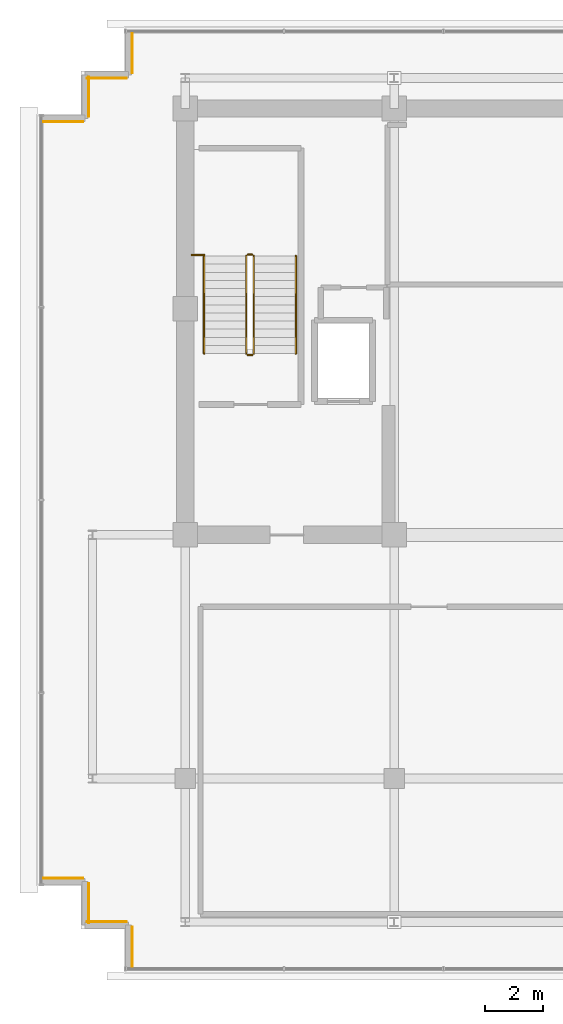
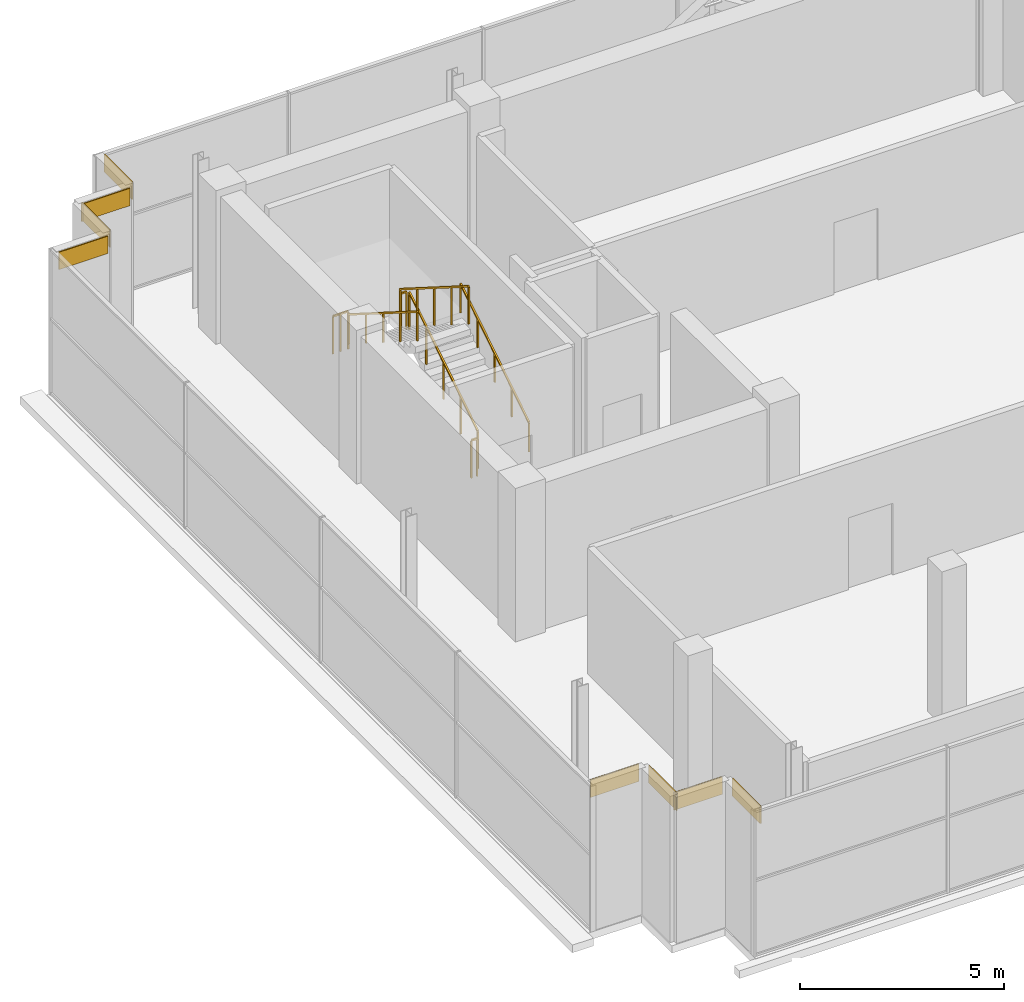
# One storey, part 25 of 26: 8 coverings, 7 railings.
"""IFC4 building model written with IfcOpenShell, lengths in metres."""

from ifc_helpers import new_model, si_unit, direction, frame, origin, origin_2d, place, context, subcontext, project, spatial, rectangle, extrude, source, transform, mapped, material, layer, layer_set, type_object, element, save


model = new_model("IFC4")

# Units and contexts
model_context = context("Model", 3, precision=1e-05, world=origin(), true_north=direction((0.0, 1.0)))
body_context = subcontext(model_context, "Body", "Model", "MODEL_VIEW")
ifc_project = project(units=[si_unit("LENGTHUNIT", "METRE"), si_unit("AREAUNIT", "SQUARE_METRE"), si_unit("VOLUMEUNIT", "CUBIC_METRE"), si_unit("PLANEANGLEUNIT", "RADIAN"), si_unit("MASSUNIT", "GRAM", prefix="KILO")], contexts=[model_context])

# Site, building, storey
site_placement = place(None, origin())
site = spatial("IfcSite", under=ifc_project, at=site_placement, CompositionType="ELEMENT")
building_placement = place(site_placement, origin())
building = spatial("IfcBuilding", under=site, at=building_placement, Name="Zarnakvel Exchange Tower", CompositionType="ELEMENT")
storey_placement = place(building_placement, frame((0.0, 0.0, 280.800048828125)))
storey = spatial("IfcBuildingStorey", under=building, at=storey_placement, Name="Crown L79", CompositionType="ELEMENT", Elevation=280.800048828125)

# Railings
ifc_material_1 = material(Name="Brushed Stainless Steel", Category="steel")
railing_type_1 = type_object("IfcRailingType", Name="HR-01", PredefinedType="HANDRAIL", material=ifc_material_1)
railing_1_placement = place(storey_placement, frame((-10.590087890625, 5.050048828125, 0.1767578125)))
element("IfcRailing", 1, at=railing_1_placement, inside=storey, type_object=railing_type_1, Name="Crown L79 ST-01 stair handrail 1", PredefinedType="HANDRAIL", context=body_context, shape_type="SweptSolid", body=[
    extrude(rectangle(XDim=0.048095703125, YDim=0.048095703125, at=origin_2d()), frame((0.0, 0.0, 0.8759765625), z_axis=(0.0, 0.845344368971, 0.534221768416), x_axis=(-1.0, 0.0, 0.0)), (0.0, 0.0, 1.0), 3.974609375),
    extrude(rectangle(XDim=0.0419921875, YDim=0.0419921875, at=origin_2d()), origin(), (0.0, 0.0, 1.0), 0.851806640625),
    extrude(rectangle(XDim=0.0419921875, YDim=0.0419921875, at=origin_2d()), frame((0.0, 0.83984375, 0.53076171875)), (0.0, 0.0, 1.0), 0.851806640625),
    extrude(rectangle(XDim=0.0419921875, YDim=0.0419921875, at=origin_2d()), frame((0.0, 1.679931640625, 1.0615234375)), (0.0, 0.0, 1.0), 0.851806640625),
    extrude(rectangle(XDim=0.0419921875, YDim=0.0419921875, at=origin_2d()), frame((0.0, 2.52001953125, 1.592529296875)), (0.0, 0.0, 1.0), 0.851806640625),
    extrude(rectangle(XDim=0.0419921875, YDim=0.0419921875, at=origin_2d()), frame((0.0, 3.35986328125, 2.123291015625)), (0.0, 0.0, 1.0), 0.851806640625),
])
railing_2_placement = place(storey_placement, frame((-13.75, 8.409912109375, 2.476806640625)))
element("IfcRailing", 2, at=railing_2_placement, inside=storey, type_object=railing_type_1, Name="Crown L79 ST-01 stair handrail 2", PredefinedType="HANDRAIL", context=body_context, shape_type="SweptSolid", body=[
    extrude(rectangle(XDim=0.048095703125, YDim=0.048095703125, at=origin_2d()), frame((0.0, 0.0, 0.8759765625), z_axis=(0.0, -0.845372108799, 0.534177870812), x_axis=(1.0, 0.0, 0.0)), (0.0, 0.0, 1.0), 3.974365234375),
    extrude(rectangle(XDim=0.0419921875, YDim=0.0419921875, at=origin_2d()), origin(), (0.0, 0.0, 1.0), 0.851806640625),
    extrude(rectangle(XDim=0.0419921875, YDim=0.0419921875, at=origin_2d()), frame((0.0, -0.83984375, 0.53076171875)), (0.0, 0.0, 1.0), 0.851806640625),
    extrude(rectangle(XDim=0.0419921875, YDim=0.0419921875, at=origin_2d()), frame((0.0, -1.679931640625, 1.0615234375)), (0.0, 0.0, 1.0), 0.851806640625),
    extrude(rectangle(XDim=0.0419921875, YDim=0.0419921875, at=origin_2d()), frame((0.0, -2.52001953125, 1.59228515625)), (0.0, 0.0, 1.0), 0.851806640625),
    extrude(rectangle(XDim=0.0419921875, YDim=0.0419921875, at=origin_2d()), frame((0.0, -3.35986328125, 2.123046875)), (0.0, 0.0, 1.0), 0.851806640625),
])
ifc_material_2 = material(Name="Architectural Bronze Anodised Aluminium", Category="aluminium")
railing_type_2 = type_object("IfcRailingType", Name="SG-01", PredefinedType="GUARDRAIL", material=ifc_material_2)
railing_3_placement = place(storey_placement, frame((-12.0400390625, 5.050048828125, 0.1767578125)))
element("IfcRailing", 3, at=railing_3_placement, inside=storey, type_object=railing_type_2, Name="Crown L79 ST-01 stair guard 1", PredefinedType="GUARDRAIL", context=body_context, shape_type="SweptSolid", body=[
    extrude(rectangle(XDim=0.048095703125, YDim=0.048095703125, at=origin_2d()), frame((0.0, 0.0, 1.1259765625), z_axis=(0.0, 0.845344368971, 0.534221768416), x_axis=(-1.0, 0.0, 0.0)), (0.0, 0.0, 1.0), 3.974609375),
    extrude(rectangle(XDim=0.0419921875, YDim=0.0419921875, at=origin_2d()), origin(), (0.0, 0.0, 1.0), 1.101806640625),
    extrude(rectangle(XDim=0.0419921875, YDim=0.0419921875, at=origin_2d()), frame((0.0, 0.83984375, 0.53076171875)), (0.0, 0.0, 1.0), 1.101806640625),
    extrude(rectangle(XDim=0.0419921875, YDim=0.0419921875, at=origin_2d()), frame((0.0, 1.679931640625, 1.0615234375)), (0.0, 0.0, 1.0), 1.101806640625),
    extrude(rectangle(XDim=0.0419921875, YDim=0.0419921875, at=origin_2d()), frame((0.0, 2.52001953125, 1.592529296875)), (0.0, 0.0, 1.0), 1.101806640625),
    extrude(rectangle(XDim=0.0419921875, YDim=0.0419921875, at=origin_2d()), frame((0.0, 3.35986328125, 2.123291015625)), (0.0, 0.0, 1.0), 1.101806640625),
])
railing_4_placement = place(storey_placement, frame((-12.090087890625, 8.4599609375, 2.300048828125)))
element("IfcRailing", 4, at=railing_4_placement, inside=storey, type_object=railing_type_2, Name="Crown L79 ST-01 stair guard 2", PredefinedType="GUARDRAIL", context=body_context, shape_type="SweptSolid", body=[
    extrude(rectangle(XDim=0.048095703125, YDim=0.048095703125, at=origin_2d()), frame((0.0, 0.0, 1.1259765625), z_axis=(-1.0, 0.0, 0.0), x_axis=(0.0, -1.0, 0.0)), (0.0, 0.0, 1.0), 0.159912109375),
    extrude(rectangle(XDim=0.0419921875, YDim=0.0419921875, at=origin_2d()), origin(), (0.0, 0.0, 1.0), 1.101806640625),
    extrude(rectangle(XDim=0.0419921875, YDim=0.0419921875, at=origin_2d()), frame((-0.159912109375, 0.0, 0.0)), (0.0, 0.0, 1.0), 1.101806640625),
])
railing_5_placement = place(storey_placement, frame((-12.300048828125, 8.409912109375, 2.476806640625)))
element("IfcRailing", 5, at=railing_5_placement, inside=storey, type_object=railing_type_2, Name="Crown L79 ST-01 stair guard 3", PredefinedType="GUARDRAIL", context=body_context, shape_type="SweptSolid", body=[
    extrude(rectangle(XDim=0.048095703125, YDim=0.048095703125, at=origin_2d()), frame((0.0, 0.0, 1.1259765625), z_axis=(0.0, -0.845372108799, 0.534177870812), x_axis=(1.0, 0.0, 0.0)), (0.0, 0.0, 1.0), 3.974365234375),
    extrude(rectangle(XDim=0.0419921875, YDim=0.0419921875, at=origin_2d()), origin(), (0.0, 0.0, 1.0), 1.101806640625),
    extrude(rectangle(XDim=0.0419921875, YDim=0.0419921875, at=origin_2d()), frame((0.0, -0.83984375, 0.53076171875)), (0.0, 0.0, 1.0), 1.101806640625),
    extrude(rectangle(XDim=0.0419921875, YDim=0.0419921875, at=origin_2d()), frame((0.0, -1.679931640625, 1.0615234375)), (0.0, 0.0, 1.0), 1.101806640625),
    extrude(rectangle(XDim=0.0419921875, YDim=0.0419921875, at=origin_2d()), frame((0.0, -2.52001953125, 1.59228515625)), (0.0, 0.0, 1.0), 1.101806640625),
    extrude(rectangle(XDim=0.0419921875, YDim=0.0419921875, at=origin_2d()), frame((0.0, -3.35986328125, 2.123046875)), (0.0, 0.0, 1.0), 1.101806640625),
])
railing_6_placement = place(storey_placement, frame((-12.090087890625, 5.0, 0.0)))
element("IfcRailing", 6, at=railing_6_placement, inside=storey, type_object=railing_type_2, Name="Crown L79 ST-01 stair guard 4", PredefinedType="GUARDRAIL", context=body_context, shape_type="SweptSolid", body=[
    extrude(rectangle(XDim=0.048095703125, YDim=0.048095703125, at=origin_2d()), frame((0.0, 0.0, 1.1259765625), z_axis=(-1.0, 0.0, 0.0), x_axis=(0.0, -1.0, 0.0)), (0.0, 0.0, 1.0), 0.159912109375),
    extrude(rectangle(XDim=0.0419921875, YDim=0.0419921875, at=origin_2d()), origin(), (0.0, 0.0, 1.0), 1.101806640625),
    extrude(rectangle(XDim=0.0419921875, YDim=0.0419921875, at=origin_2d()), frame((-0.159912109375, 0.0, 0.0)), (0.0, 0.0, 1.0), 1.101806640625),
])
railing_7_placement = place(storey_placement, frame((-14.179931640625, 8.449951171875, 2.300048828125)))
element("IfcRailing", 7, at=railing_7_placement, inside=storey, type_object=railing_type_2, Name="Crown L79 ST-01 Landing Slot Guardrail", PredefinedType="GUARDRAIL", context=body_context, shape_type="SweptSolid", body=[
    extrude(rectangle(XDim=0.048095703125, YDim=0.048095703125, at=origin_2d()), frame((0.0, 0.0, 1.1259765625), z_axis=(1.0, 0.0, 0.0), x_axis=(0.0, 1.0, 0.0)), (0.0, 0.0, 1.0), 0.429931640625),
    extrude(rectangle(XDim=0.0419921875, YDim=0.0419921875, at=origin_2d()), origin(), (0.0, 0.0, 1.0), 1.101806640625),
    extrude(rectangle(XDim=0.0419921875, YDim=0.0419921875, at=origin_2d()), frame((0.21484375, 0.0, 0.0)), (0.0, 0.0, 1.0), 1.101806640625),
    extrude(rectangle(XDim=0.0419921875, YDim=0.0419921875, at=origin_2d()), frame((0.429931640625, 0.0, 0.0)), (0.0, 0.0, 1.0), 1.101806640625),
])

# Coverings
ifc_material_3 = material(Name="Warm Sandstone Terracotta Spandrel Tile", Category="masonry")
ifc_layer = layer(ifc_material_3, 0.031982421875)
ifc_layer_set = layer_set([ifc_layer], Name="Warm Sandstone Terracotta Spandrel Tile")
covering_type = type_object("IfcCoveringType", Name="CL-02", PredefinedType="CLADDING", material=ifc_layer_set)
shared_shape = source(origin(), body_context, "Body", "SweptSolid", [
    extrude(rectangle(XDim=1.3798828125, YDim=0.031982421875, at=origin_2d()), origin(), (0.0, 0.0, 1.0), 0.52001953125),
])
for number, where, z_axis, x_axis, name in (
    (8, (-18.610107421875, 13.035888671875, 3.83984375), (0.0, 0.0, 1.0), (-1.0, 0.0, 0.0), "Crown L79 Ceramic Spandrel Tilework CL-02"),
    (9, (-17.736083984375, 13.909912109375, 3.83984375), (0.0, 0.0, 1.0), (0.0, -1.0, 0.0), "Crown L79 Ceramic Spandrel Tilework CL-02"),
    (10, (-17.110107421875, 14.535888671875, 3.83984375), (0.0, 0.0, 1.0), (-1.0, 0.0, 0.0), "Crown L79 Ceramic Spandrel Tilework CL-02"),
    (11, (-16.236083984375, 15.409912109375, 3.83984375), (0.0, 0.0, 1.0), (0.0, -1.0, 0.0), "Crown L79 Ceramic Spandrel Tilework CL-02"),
    (12, (-16.236083984375, -15.409912109375, 3.83984375), (0.0, 0.0, 1.0), (0.0, -1.0, 0.0), "Crown L79 Ceramic Spandrel Tilework CL-02"),
    (13, (-17.110107421875, -14.535888671875, 3.83984375), (0.0, 0.0, 1.0), (1.0, 0.0, 0.0), "Crown L79 Ceramic Spandrel Tilework CL-02"),
    (14, (-17.736083984375, -13.909912109375, 3.83984375), (0.0, 0.0, 1.0), (0.0, -1.0, 0.0), "Crown L79 Ceramic Spandrel Tilework CL-02"),
    (15, (-18.610107421875, -13.035888671875, 3.83984375), (0.0, 0.0, 1.0), (1.0, 0.0, 0.0), "Crown L79 Ceramic Spandrel Tilework CL-02"),
):
    element("IfcCovering", number, at=place(storey_placement, frame(where, z_axis=z_axis, x_axis=x_axis)), inside=storey, type_object=covering_type, Name=name, PredefinedType="CLADDING", context=body_context, shape_type="MappedRepresentation", body=[
        mapped(shared_shape, transform((0.0, 0.0, 0.0), x_axis=(1.0, 0.0, 0.0), y_axis=(0.0, 1.0, 0.0), z_axis=(0.0, 0.0, 1.0), scale=1.0)),
    ])

save(model, "model.ifc")
